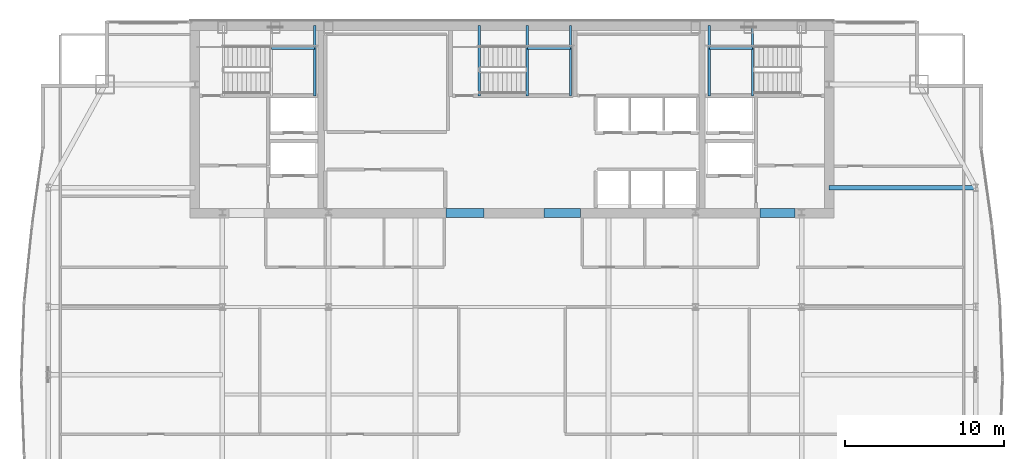
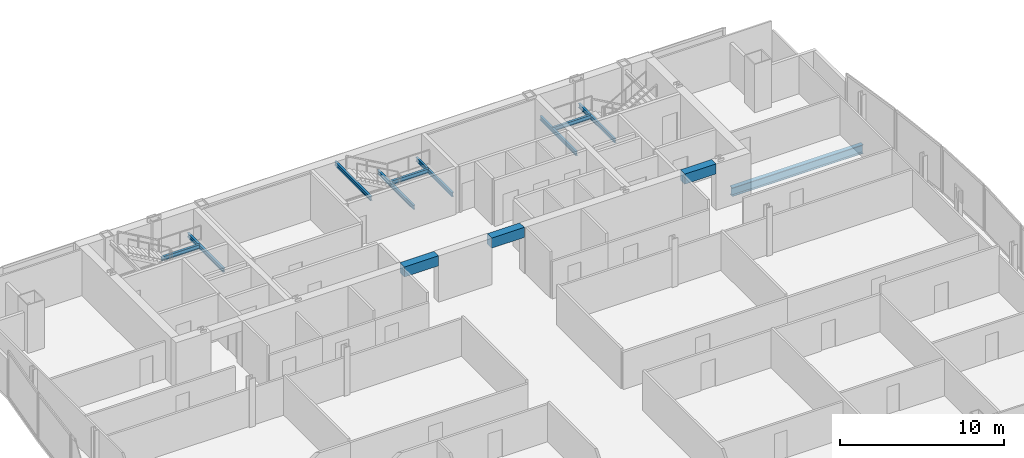
# One storey, part 24 of 32: 13 beams.
"""IFC4 building model written with IfcOpenShell, lengths in metres."""

from ifc_helpers import new_model, si_unit, direction, frame, origin, origin_2d, place, context, subcontext, project, spatial, rectangle, i_section, extrude, material, material_profile, profile_set, type_object, element, save


model = new_model("IFC4")

# Units and contexts
model_context = context("Model", 3, precision=1e-05, world=origin(), true_north=direction((0.0, 1.0)))
body_context = subcontext(model_context, "Body", "Model", "MODEL_VIEW")
ifc_project = project(units=[si_unit("LENGTHUNIT", "METRE"), si_unit("AREAUNIT", "SQUARE_METRE"), si_unit("VOLUMEUNIT", "CUBIC_METRE"), si_unit("PLANEANGLEUNIT", "RADIAN"), si_unit("MASSUNIT", "GRAM", prefix="KILO")], contexts=[model_context])

# Site, building, storey
site_placement = place(None, origin())
site = spatial("IfcSite", under=ifc_project, at=site_placement, CompositionType="ELEMENT")
building_placement = place(site_placement, origin())
building = spatial("IfcBuilding", under=site, at=building_placement, Name="Khoronbel Lancet Exchange", CompositionType="ELEMENT")
storey_placement = place(building_placement, frame((0.0, 0.0, 228.199951171875)))
storey = spatial("IfcBuildingStorey", under=building, at=storey_placement, Name="L58", CompositionType="ELEMENT", Elevation=228.199951171875)

# Beams
ifc_material_1 = material(Name="Steel S355", Category="steel")
ifc_material_profile_1 = material_profile(ifc_material_1, i_section(OverallWidth=0.300048828125, OverallDepth=0.64990234375, WebThickness=0.01611328125, FlangeThickness=0.031005859375, at=origin_2d()), Name="HEB 650")
ifc_profile_set_1 = profile_set([ifc_material_profile_1], Name="Steel S355")
beam_type_1 = type_object("IfcBeamType", Name="BM-BG4", PredefinedType="BEAM", material=ifc_profile_set_1)
beam_1_placement = place(storey_placement, frame((56.39990234375, 43.199951171875, -0.48486328125), z_axis=(1.0, 0.0, 0.0), x_axis=(0.0, 1.0, 0.0)))
element("IfcBeam", 1, at=beam_1_placement, inside=storey, type_object=beam_type_1, Name="Level L58 east lens tie girder LG3E", PredefinedType="BEAM", context=body_context, shape_type="SweptSolid", body=[
    extrude(i_section(OverallWidth=0.300048828125, OverallDepth=0.64990234375, WebThickness=0.01611328125, FlangeThickness=0.031005859375, at=origin_2d()), origin(), (0.0, 0.0, 1.0), 9.22998046875),
])
ifc_material_profile_2 = material_profile(ifc_material_1, i_section(OverallWidth=0.14990234375, OverallDepth=0.300048828125, WebThickness=0.007080078125, FlangeThickness=0.0107421875, at=origin_2d()), Name="IPE 300")
ifc_profile_set_2 = profile_set([ifc_material_profile_2], Name="Steel S355")
beam_type_2 = type_object("IfcBeamType", Name="BM-BJ8", PredefinedType="JOIST", material=ifc_profile_set_2)
beam_2_placement = place(storey_placement, frame((24.030029296875, 48.97998046875, 1.449951171875), z_axis=(0.0, 1.0, 0.0), x_axis=(-1.0, 0.0, 0.0)))
element("IfcBeam", 2, at=beam_2_placement, inside=storey, type_object=beam_type_2, Name="Level L58 stair ST1 rear landing bearer beam 1", PredefinedType="JOIST", context=body_context, shape_type="SweptSolid", body=[
    extrude(i_section(OverallWidth=0.14990234375, OverallDepth=0.300048828125, WebThickness=0.007080078125, FlangeThickness=0.0107421875, at=origin_2d()), origin(), (0.0, 0.0, 1.0), 4.419921875),
])
beam_3_placement = place(storey_placement, frame((21.320068359375, 51.97998046875, 1.449951171875), z_axis=(1.0, 0.0, 0.0), x_axis=(0.0, 1.0, 0.0)))
element("IfcBeam", 3, at=beam_3_placement, inside=storey, type_object=beam_type_2, Name="Level L58 stair ST1 landing cross trimmer beam 1", PredefinedType="JOIST", context=body_context, shape_type="SweptSolid", body=[
    extrude(i_section(OverallWidth=0.14990234375, OverallDepth=0.300048828125, WebThickness=0.007080078125, FlangeThickness=0.0107421875, at=origin_2d()), origin(), (0.0, 0.0, 1.0), 2.7099609375),
])
for number, where, z_axis, x_axis, name in (
    (4, (51.580078125, 48.97998046875, 1.449951171875), (0.0, 1.0, 0.0), (-1.0, 0.0, 0.0), "Level L58 stair ST2 landing bearer beam 1"),
    (5, (48.8701171875, 48.97998046875, 1.449951171875), (0.0, 1.0, 0.0), (-1.0, 0.0, 0.0), "Level L58 stair ST2 rear landing bearer beam 1"),
):
    element("IfcBeam", number, at=place(storey_placement, frame(where, z_axis=z_axis, x_axis=x_axis)), inside=storey, type_object=beam_type_2, Name=name, PredefinedType="JOIST", context=body_context, shape_type="SweptSolid", body=[
        extrude(i_section(OverallWidth=0.14990234375, OverallDepth=0.300048828125, WebThickness=0.007080078125, FlangeThickness=0.0107421875, at=origin_2d()), origin(), (0.0, 0.0, 1.0), 4.419921875),
    ])
beam_4_placement = place(storey_placement, frame((48.8701171875, 51.97998046875, 1.449951171875), z_axis=(1.0, 0.0, 0.0), x_axis=(0.0, 1.0, 0.0)))
element("IfcBeam", 6, at=beam_4_placement, inside=storey, type_object=beam_type_2, Name="Level L58 stair ST2 landing cross trimmer beam 1", PredefinedType="JOIST", context=body_context, shape_type="SweptSolid", body=[
    extrude(i_section(OverallWidth=0.14990234375, OverallDepth=0.300048828125, WebThickness=0.007080078125, FlangeThickness=0.0107421875, at=origin_2d()), origin(), (0.0, 0.0, 1.0), 2.7099609375),
])
for number, where, z_axis, x_axis, name in (
    (7, (37.419921875, 48.97998046875, 1.449951171875), (0.0, 1.0, 0.0), (-1.0, 0.0, 0.0), "Level L58 stair ST3 landing bearer beam 1"),
    (8, (40.1298828125, 48.97998046875, 1.449951171875), (0.0, 1.0, 0.0), (-1.0, 0.0, 0.0), "Level L58 stair ST3 rear landing bearer beam 1"),
):
    element("IfcBeam", number, at=place(storey_placement, frame(where, z_axis=z_axis, x_axis=x_axis)), inside=storey, type_object=beam_type_2, Name=name, PredefinedType="JOIST", context=body_context, shape_type="SweptSolid", body=[
        extrude(i_section(OverallWidth=0.14990234375, OverallDepth=0.300048828125, WebThickness=0.007080078125, FlangeThickness=0.0107421875, at=origin_2d()), origin(), (0.0, 0.0, 1.0), 4.419921875),
    ])
beam_5_placement = place(storey_placement, frame((37.419921875, 51.97998046875, 1.449951171875), z_axis=(1.0, 0.0, 0.0), x_axis=(0.0, 1.0, 0.0)))
element("IfcBeam", 9, at=beam_5_placement, inside=storey, type_object=beam_type_2, Name="Level L58 stair ST3 landing cross trimmer beam 1", PredefinedType="JOIST", context=body_context, shape_type="SweptSolid", body=[
    extrude(i_section(OverallWidth=0.14990234375, OverallDepth=0.300048828125, WebThickness=0.007080078125, FlangeThickness=0.0107421875, at=origin_2d()), origin(), (0.0, 0.0, 1.0), 2.7099609375),
])
beam_6_placement = place(storey_placement, frame((34.39990234375, 48.97998046875, 3.16015625), z_axis=(0.0, 1.0, 0.0), x_axis=(-1.0, 0.0, 0.0)))
element("IfcBeam", 10, at=beam_6_placement, inside=storey, type_object=beam_type_2, Name="Level L58 stair ST3 upper-flight arrival trimmer beam", PredefinedType="JOIST", context=body_context, shape_type="SweptSolid", body=[
    extrude(i_section(OverallWidth=0.14990234375, OverallDepth=0.300048828125, WebThickness=0.007080078125, FlangeThickness=0.0107421875, at=origin_2d()), origin(), (0.0, 0.0, 1.0), 4.419921875),
])
ifc_material_2 = material(Name="Concrete C60/75", Category="concrete")
ifc_material_profile_3 = material_profile(ifc_material_2, rectangle(XDim=0.550048828125, YDim=0.75, at=origin_2d()), Name="RC 550x750")
ifc_profile_set_3 = profile_set([ifc_material_profile_3], Name="Concrete C60/75")
beam_type_3 = type_object("IfcBeamType", Name="BM-BL2", PredefinedType="LINTEL", material=ifc_profile_set_3)
beam_7_placement = place(storey_placement, frame((32.300048828125, 41.60009765625, 3.06494140625), z_axis=(1.0, 0.0, 0.0), x_axis=(0.0, 1.0, 0.0)))
element("IfcBeam", 11, at=beam_7_placement, inside=storey, type_object=beam_type_3, Name="Level L58 rear core coupling lintel L2", PredefinedType="LINTEL", context=body_context, shape_type="SweptSolid", body=[
    extrude(rectangle(XDim=0.550048828125, YDim=0.75, at=origin_2d()), origin(), (0.0, 0.0, 1.0), 2.39990234375),
])
beam_8_placement = place(storey_placement, frame((38.449951171875, 41.60009765625, 3.06494140625), z_axis=(1.0, 0.0, 0.0), x_axis=(0.0, 1.0, 0.0)))
element("IfcBeam", 12, at=beam_8_placement, inside=storey, type_object=beam_type_3, Name="Level L58 rear core coupling lintel L3", PredefinedType="LINTEL", context=body_context, shape_type="SweptSolid", body=[
    extrude(rectangle(XDim=0.550048828125, YDim=0.75, at=origin_2d()), origin(), (0.0, 0.0, 1.0), 2.300048828125),
])
beam_9_placement = place(storey_placement, frame((52.050048828125, 41.60009765625, 3.06494140625), z_axis=(1.0, 0.0, 0.0), x_axis=(0.0, 1.0, 0.0)))
element("IfcBeam", 13, at=beam_9_placement, inside=storey, type_object=beam_type_3, Name="Level L58 rear core coupling lintel L4", PredefinedType="LINTEL", context=body_context, shape_type="SweptSolid", body=[
    extrude(rectangle(XDim=0.550048828125, YDim=0.75, at=origin_2d()), origin(), (0.0, 0.0, 1.0), 2.199951171875),
])

save(model, "model.ifc")
